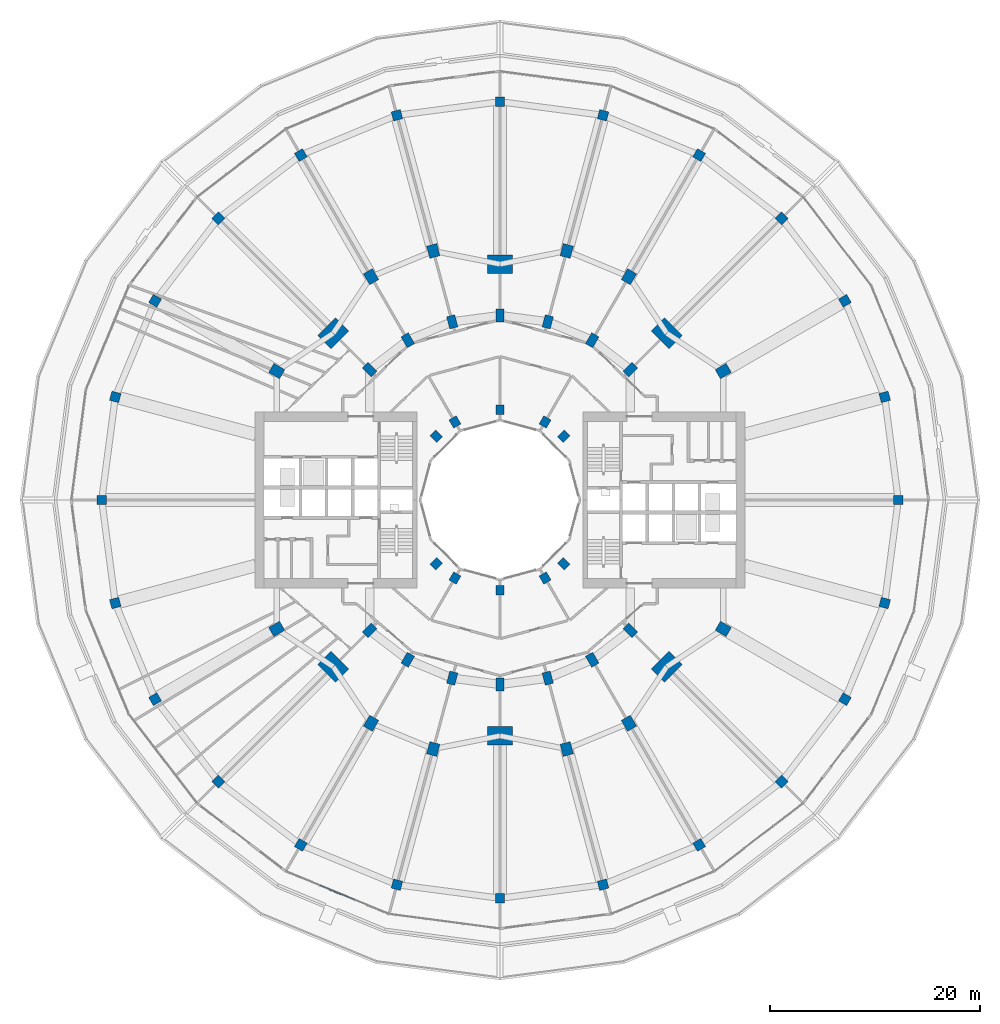
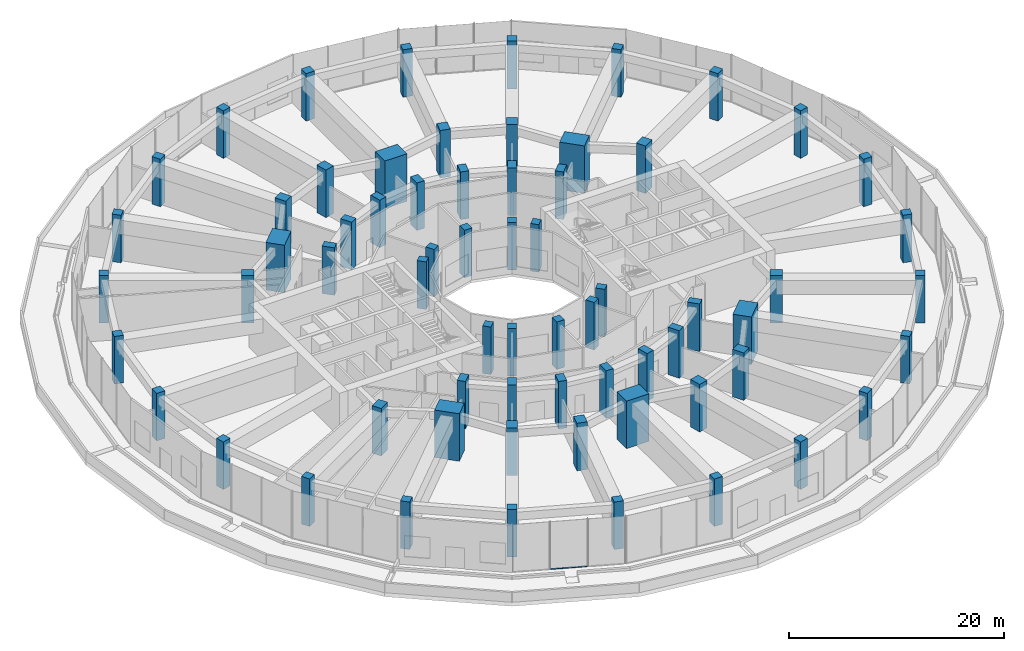
# One storey, part 1 of 30: 66 columns, 1 member, 1 element without a shape of its own.
"""IFC4 building model written with IfcOpenShell, lengths in metres."""

from ifc_helpers import new_model, si_unit, direction, frame, origin, origin_2d, place, context, subcontext, project, spatial, rectangle, extrude, material, layer, layer_set, material_profile, profile_set, type_object, element, aggregate, save


model = new_model("IFC4")

# Units and contexts
model_context = context("Model", 3, precision=1e-05, world=origin(), true_north=direction((0.0, 1.0)))
body_context = subcontext(model_context, "Body", "Model", "MODEL_VIEW")
ifc_project = project(units=[si_unit("LENGTHUNIT", "METRE"), si_unit("AREAUNIT", "SQUARE_METRE"), si_unit("VOLUMEUNIT", "CUBIC_METRE"), si_unit("PLANEANGLEUNIT", "RADIAN"), si_unit("MASSUNIT", "GRAM", prefix="KILO")], contexts=[model_context])

# Site, building, storey
site_placement = place(None, origin())
site = spatial("IfcSite", under=ifc_project, at=site_placement, CompositionType="ELEMENT")
building_placement = place(site_placement, origin())
building = spatial("IfcBuilding", under=site, at=building_placement, Name="Torre Brocal", CompositionType="ELEMENT")
storey_placement = place(building_placement, frame((0.0, 0.0, 7.0)))
storey = spatial("IfcBuildingStorey", under=building, at=storey_placement, Name="L01", CompositionType="ELEMENT", Elevation=7.0)

# Columns
ifc_material_1 = material(Name="Concrete C80", Category="concrete")
ifc_material_profile_1 = material_profile(ifc_material_1, rectangle(XDim=1.199951171875, YDim=1.0, at=origin_2d()), Name="RC 1200X1000")
ifc_profile_set_1 = profile_set([ifc_material_profile_1], Name="Concrete C80")
column_type_1 = type_object("IfcColumnType", Name="RC COLUMN 1200X1000 C80", PredefinedType="COLUMN", material=ifc_profile_set_1)
for number, where, z_axis, x_axis, name in (
    (1, (101.30419921875, 87.300048828125, 0.0), (0.0, 0.0, 1.0), (0.866025403784, 0.5, 0.0), "Column C-O02"),
    (2, (92.300048828125, 96.30419921875, 0.0), (0.0, 0.0, 1.0), (0.5, 0.866025403784, 0.0), "Column C-O04"),
    (3, (86.366943359375, 98.76171875, 0.0), (0.0, 0.0, 1.0), (0.258819045103, 0.965925826289, 0.0), "Column C-O05"),
    (4, (73.633056640625, 98.76171875, 0.0), (0.0, 0.0, 1.0), (-0.258819045103, 0.965925826289, 0.0), "Column C-O07"),
    (5, (67.699951171875, 96.30419921875, 0.0), (0.0, 0.0, 1.0), (-0.5, 0.866025403784, 0.0), "Column C-O08"),
    (6, (58.69580078125, 87.300048828125, 0.0), (0.0, 0.0, 1.0), (-0.866025403784, 0.5, 0.0), "Column C-O10"),
    (7, (58.69580078125, 62.699951171875, 0.0), (0.0, 0.0, 1.0), (-0.866025403784, -0.5, 0.0), "Column C-O14"),
    (8, (67.699951171875, 53.69580078125, 0.0), (0.0, 0.0, 1.0), (-0.5, -0.866025403784, 0.0), "Column C-O16"),
    (9, (73.633056640625, 51.23828125, 0.0), (0.0, 0.0, 1.0), (-0.258819045103, -0.965925826289, 0.0), "Column C-O17"),
    (10, (86.366943359375, 51.23828125, 0.0), (0.0, 0.0, 1.0), (0.258819045103, -0.965925826289, 0.0), "Column C-O19"),
    (11, (92.300048828125, 53.69580078125, 0.0), (0.0, 0.0, 1.0), (0.5, -0.866025403784, 0.0), "Column C-O20"),
    (12, (101.30419921875, 62.699951171875, 0.0), (0.0, 0.0, 1.0), (0.866025403784, -0.5, 0.0), "Column C-O22"),
):
    element("IfcColumn", number, at=place(storey_placement, frame(where, z_axis=z_axis, x_axis=x_axis)), inside=storey, type_object=column_type_1, Name=name, PredefinedType="COLUMN", context=body_context, shape_type="SweptSolid", body=[
        extrude(rectangle(XDim=1.199951171875, YDim=1.0, at=origin_2d()), origin(), (0.0, 0.0, 1.0), 5.39990234375),
    ])
ifc_material_2 = material(Name="Concrete C80", Category="concrete")
ifc_material_profile_2 = material_profile(ifc_material_2, rectangle(XDim=1.199951171875, YDim=0.800048828125, at=origin_2d()), Name="RC 1200X800")
ifc_profile_set_2 = profile_set([ifc_material_profile_2], Name="Concrete C80")
column_type_2 = type_object("IfcColumnType", Name="RC COLUMN 1200X800 C80", PredefinedType="COLUMN", material=ifc_profile_set_2)
for number, where, z_axis, x_axis, name in (
    (13, (92.445068359375, 87.445068359375, 0.0), (0.0, 0.0, 1.0), (0.707106781187, 0.707106781187, 0.0), "Column C-M03"),
    (14, (88.800048828125, 90.241943359375, 0.0), (0.0, 0.0, 1.0), (0.5, 0.866025403784, 0.0), "Column C-M04"),
    (15, (84.55517578125, 92.000244140625, 0.0), (0.0, 0.0, 1.0), (0.258819045103, 0.965925826289, 0.0), "Column C-M05"),
    (16, (80.0, 92.60009765625, 0.0), (0.0, 0.0, 1.0), (0.0, 1.0, 0.0), "Column C-M06"),
    (17, (75.44482421875, 92.000244140625, 0.0), (0.0, 0.0, 1.0), (-0.258819045103, 0.965925826289, 0.0), "Column C-M07"),
    (18, (71.199951171875, 90.241943359375, 0.0), (0.0, 0.0, 1.0), (-0.5, 0.866025403784, 0.0), "Column C-M08"),
    (19, (67.554931640625, 87.445068359375, 0.0), (0.0, 0.0, 1.0), (-0.707106781187, 0.707106781187, 0.0), "Column C-M09"),
    (20, (67.554931640625, 62.554931640625, 0.0), (0.0, 0.0, 1.0), (-0.707106781187, -0.707106781187, 0.0), "Column C-M15"),
    (21, (71.199951171875, 59.758056640625, 0.0), (0.0, 0.0, 1.0), (-0.5, -0.866025403784, 0.0), "Column C-M16"),
    (22, (75.44482421875, 57.999755859375, 0.0), (0.0, 0.0, 1.0), (-0.258819045103, -0.965925826289, 0.0), "Column C-M17"),
    (23, (80.0, 57.39990234375, 0.0), (0.0, 0.0, 1.0), (0.0, -1.0, 0.0), "Column C-M18"),
    (24, (84.55517578125, 57.999755859375, 0.0), (0.0, 0.0, 1.0), (0.258819045103, -0.965925826289, 0.0), "Column C-M19"),
    (25, (88.800048828125, 59.758056640625, 0.0), (0.0, 0.0, 1.0), (0.5, -0.866025403784, 0.0), "Column C-M20"),
    (26, (92.445068359375, 62.554931640625, 0.0), (0.0, 0.0, 1.0), (0.707106781187, -0.707106781187, 0.0), "Column C-M21"),
):
    element("IfcColumn", number, at=place(storey_placement, frame(where, z_axis=z_axis, x_axis=x_axis)), inside=storey, type_object=column_type_2, Name=name, PredefinedType="COLUMN", context=body_context, shape_type="SweptSolid", body=[
        extrude(rectangle(XDim=1.199951171875, YDim=0.800048828125, at=origin_2d()), origin(), (0.0, 0.0, 1.0), 5.39990234375),
    ])
ifc_material_3 = material(Name="Concrete C80", Category="concrete")
ifc_material_profile_3 = material_profile(ifc_material_3, rectangle(XDim=1.800048828125, YDim=2.39990234375, at=origin_2d()), Name="RC 1800X2400")
ifc_profile_set_3 = profile_set([ifc_material_profile_3], Name="Concrete C80")
column_type_3 = type_object("IfcColumnType", Name="RC COLUMN 1800X2400 C80", PredefinedType="COLUMN", material=ifc_profile_set_3)
for number, where, z_axis, x_axis, name in (
    (27, (95.909912109375, 90.909912109375, 0.0), (0.0, 0.0, 1.0), (0.707106781187, 0.707106781187, 0.0), "Column MC-1"),
    (28, (80.0, 97.5, 0.0), (0.0, 0.0, 1.0), (0.0, 1.0, 0.0), "Column MC-2"),
    (29, (64.090087890625, 90.909912109375, 0.0), (0.0, 0.0, 1.0), (-0.707106781187, 0.707106781187, 0.0), "Column MC-3"),
    (30, (64.090087890625, 59.090087890625, 0.0), (0.0, 0.0, 1.0), (-0.707106781187, -0.707106781187, 0.0), "Column MC-5"),
    (31, (80.0, 52.5, 0.0), (0.0, 0.0, 1.0), (0.0, -1.0, 0.0), "Column MC-6"),
    (32, (95.909912109375, 59.090087890625, 0.0), (0.0, 0.0, 1.0), (0.707106781187, -0.707106781187, 0.0), "Column MC-7"),
):
    element("IfcColumn", number, at=place(storey_placement, frame(where, z_axis=z_axis, x_axis=x_axis)), inside=storey, type_object=column_type_3, Name=name, PredefinedType="COLUMN", context=body_context, shape_type="SweptSolid", body=[
        extrude(rectangle(XDim=1.800048828125, YDim=2.39990234375, at=origin_2d()), origin(), (0.0, 0.0, 1.0), 5.39990234375),
    ])
ifc_material_4 = material(Name="Concrete C80", Category="concrete")
ifc_material_profile_4 = material_profile(ifc_material_4, rectangle(XDim=0.89990234375, YDim=0.800048828125, at=origin_2d()), Name="RC 900X800")
ifc_profile_set_4 = profile_set([ifc_material_profile_4], Name="Concrete C80")
column_type_4 = type_object("IfcColumnType", Name="RC COLUMN 900X800 C80", PredefinedType="COLUMN", material=ifc_profile_set_4)
for number, where, z_axis, x_axis, name in (
    (33, (86.0810546875, 81.0810546875, 0.0), (0.0, 0.0, 1.0), (0.707106781187, 0.707106781187, 0.0), "Column C-I03"),
    (34, (84.300048828125, 82.44775390625, 0.0), (0.0, 0.0, 1.0), (0.5, 0.866025403784, 0.0), "Column C-I04"),
    (35, (80.0, 83.60009765625, 0.0), (0.0, 0.0, 1.0), (0.0, 1.0, 0.0), "Column C-I06"),
    (36, (75.699951171875, 82.44775390625, 0.0), (0.0, 0.0, 1.0), (-0.5, 0.866025403784, 0.0), "Column C-I08"),
    (37, (73.9189453125, 81.0810546875, 0.0), (0.0, 0.0, 1.0), (-0.707106781187, 0.707106781187, 0.0), "Column C-I09"),
    (38, (73.9189453125, 68.9189453125, 0.0), (0.0, 0.0, 1.0), (-0.707106781187, -0.707106781187, 0.0), "Column C-I15"),
    (39, (75.699951171875, 67.55224609375, 0.0), (0.0, 0.0, 1.0), (-0.5, -0.866025403784, 0.0), "Column C-I16"),
    (40, (80.0, 66.39990234375, 0.0), (0.0, 0.0, 1.0), (0.0, -1.0, 0.0), "Column C-I18"),
    (41, (84.300048828125, 67.55224609375, 0.0), (0.0, 0.0, 1.0), (0.5, -0.866025403784, 0.0), "Column C-I20"),
    (42, (86.0810546875, 68.9189453125, 0.0), (0.0, 0.0, 1.0), (0.707106781187, -0.707106781187, 0.0), "Column C-I21"),
):
    element("IfcColumn", number, at=place(storey_placement, frame(where, z_axis=z_axis, x_axis=x_axis)), inside=storey, type_object=column_type_4, Name=name, PredefinedType="COLUMN", context=body_context, shape_type="SweptSolid", body=[
        extrude(rectangle(XDim=0.89990234375, YDim=0.800048828125, at=origin_2d()), origin(), (0.0, 0.0, 1.0), 5.39990234375),
    ])
ifc_material_5 = material(Name="Concrete C80", Category="concrete")
ifc_material_profile_5 = material_profile(ifc_material_5, rectangle(XDim=0.89990234375, YDim=0.89990234375, at=origin_2d()), Name="RC 900X900")
ifc_profile_set_5 = profile_set([ifc_material_profile_5], Name="Concrete C80")
column_type_5 = type_object("IfcColumnType", Name="RC COLUMN 900X900 C80", PredefinedType="COLUMN", material=ifc_profile_set_5)
for number, where, z_axis, x_axis, name in (
    (43, (118.0, 75.0, 0.0), (0.0, 0.0, 1.0), (1.0, 0.0, 0.0), "Column C-PB00"),
    (44, (116.705078125, 84.835205078125, 0.0), (0.0, 0.0, 1.0), (0.965925826289, 0.258819045103, 0.0), "Column C-PB01"),
    (45, (112.908935546875, 94.0, 0.0), (0.0, 0.0, 1.0), (0.866025403784, 0.5, 0.0), "Column C-PB02"),
    (46, (106.8701171875, 101.8701171875, 0.0), (0.0, 0.0, 1.0), (0.707106781187, 0.707106781187, 0.0), "Column C-PB03"),
    (47, (99.0, 107.908935546875, 0.0), (0.0, 0.0, 1.0), (0.5, 0.866025403784, 0.0), "Column C-PB04"),
    (48, (89.835205078125, 111.705078125, 0.0), (0.0, 0.0, 1.0), (0.258819045103, 0.965925826289, 0.0), "Column C-PB05"),
    (49, (80.0, 113.0, 0.0), (0.0, 0.0, 1.0), (0.0, 1.0, 0.0), "Column C-PB06"),
    (50, (70.164794921875, 111.705078125, 0.0), (0.0, 0.0, 1.0), (-0.258819045103, 0.965925826289, 0.0), "Column C-PB07"),
    (51, (61.0, 107.908935546875, 0.0), (0.0, 0.0, 1.0), (-0.5, 0.866025403784, 0.0), "Column C-PB08"),
    (52, (53.1298828125, 101.8701171875, 0.0), (0.0, 0.0, 1.0), (-0.707106781187, 0.707106781187, 0.0), "Column C-PB09"),
    (53, (47.091064453125, 94.0, 0.0), (0.0, 0.0, 1.0), (-0.866025403784, 0.5, 0.0), "Column C-PB10"),
    (54, (43.294921875, 84.835205078125, 0.0), (0.0, 0.0, 1.0), (-0.965925826289, 0.258819045103, 0.0), "Column C-PB11"),
    (55, (42.0, 75.0, 0.0), (0.0, 0.0, 1.0), (-1.0, 0.0, 0.0), "Column C-PB12"),
    (56, (43.294921875, 65.164794921875, 0.0), (0.0, 0.0, 1.0), (-0.965925826289, -0.258819045103, 0.0), "Column C-PB13"),
    (57, (47.091064453125, 56.0, 0.0), (0.0, 0.0, 1.0), (-0.866025403784, -0.5, 0.0), "Column C-PB14"),
    (58, (53.1298828125, 48.1298828125, 0.0), (0.0, 0.0, 1.0), (-0.707106781187, -0.707106781187, 0.0), "Column C-PB15"),
    (59, (61.0, 42.091064453125, 0.0), (0.0, 0.0, 1.0), (-0.5, -0.866025403784, 0.0), "Column C-PB16"),
    (60, (70.164794921875, 38.294921875, 0.0), (0.0, 0.0, 1.0), (-0.258819045103, -0.965925826289, 0.0), "Column C-PB17"),
    (61, (80.0, 37.0, 0.0), (0.0, 0.0, 1.0), (0.0, -1.0, 0.0), "Column C-PB18"),
    (62, (89.835205078125, 38.294921875, 0.0), (0.0, 0.0, 1.0), (0.258819045103, -0.965925826289, 0.0), "Column C-PB19"),
    (63, (99.0, 42.091064453125, 0.0), (0.0, 0.0, 1.0), (0.5, -0.866025403784, 0.0), "Column C-PB20"),
    (64, (106.8701171875, 48.1298828125, 0.0), (0.0, 0.0, 1.0), (0.707106781187, -0.707106781187, 0.0), "Column C-PB21"),
    (65, (112.908935546875, 56.0, 0.0), (0.0, 0.0, 1.0), (0.866025403784, -0.5, 0.0), "Column C-PB22"),
    (66, (116.705078125, 65.164794921875, 0.0), (0.0, 0.0, 1.0), (0.965925826289, -0.258819045103, 0.0), "Column C-PB23"),
):
    element("IfcColumn", number, at=place(storey_placement, frame(where, z_axis=z_axis, x_axis=x_axis)), inside=storey, type_object=column_type_5, Name=name, PredefinedType="COLUMN", context=body_context, shape_type="SweptSolid", body=[
        extrude(rectangle(XDim=0.89990234375, YDim=0.89990234375, at=origin_2d()), origin(), (0.0, 0.0, 1.0), 5.39990234375),
    ])

# Curtain wall, member
ifc_material_6 = material(Name="Aluminium and glass", Category="aluminium")
ifc_layer = layer(ifc_material_6, 0.199951171875)
ifc_layer_set = layer_set([ifc_layer], Name="Aluminium and glass")
curtain_wall_type = type_object("IfcCurtainWallType", Name="CW-3 CURTAIN WALL 5400 HIGH", PredefinedType="NOTDEFINED", material=ifc_layer_set)
curtain_wall_placement = place(storey_placement, origin())
curtain_wall = element("IfcCurtainWall", 67, at=curtain_wall_placement, inside=storey, type_object=curtain_wall_type, Name="CW-3 RUN 17", PredefinedType="NOTDEFINED")
ifc_material_7 = material(Name="Aluminium, dark anodised", Category="aluminium")
ifc_material_profile_6 = material_profile(ifc_material_7, rectangle(XDim=0.1201171875, YDim=0.06005859375, at=origin_2d()), Name="CW-3 TRANSOM 120X60")
ifc_profile_set_6 = profile_set([ifc_material_profile_6], Name="Aluminium, dark anodised")
member_type = type_object("IfcMemberType", Name="CW-3 TRANSOM 120X60", PredefinedType="USERDEFINED", material=ifc_profile_set_6)
member_placement = place(storey_placement, frame((62.861572265625, 38.208740234375, 0.030029296875), z_axis=(0.923887942392, -0.382663128485, 0.0), x_axis=(0.382663128485, 0.923887942392, 0.0)))
member = element("IfcMember", 68, at=member_placement, type_object=member_type, Name="CW3-2 transom 2.1", ObjectType="TRANSOM", PredefinedType="USERDEFINED", context=body_context, shape_type="SweptSolid", body=[
    extrude(rectangle(XDim=0.1201171875, YDim=0.06005859375, at=origin_2d()), origin(), (0.0, 0.0, 1.0), 3.509033203125),
])
aggregate(curtain_wall, [member])

save(model, "model.ifc")
